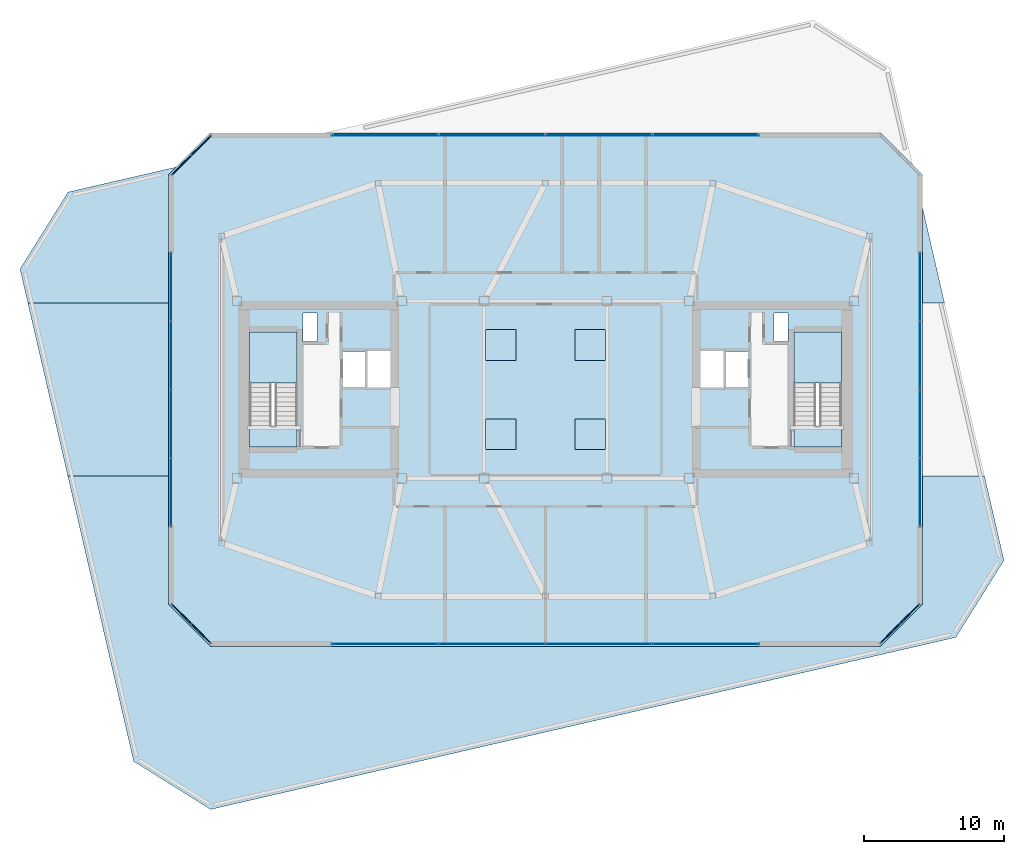
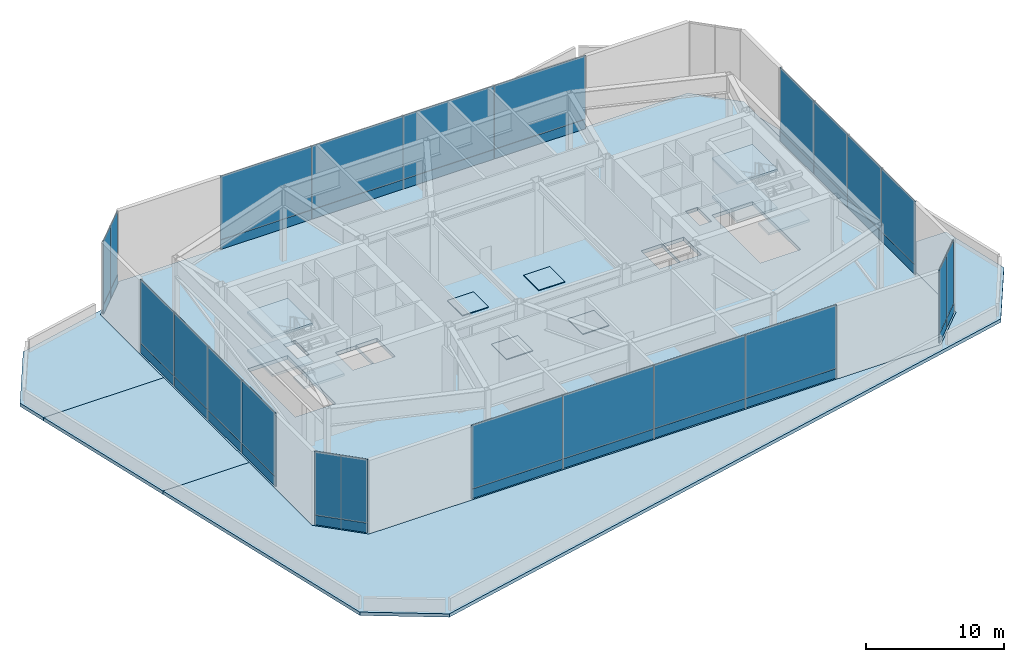
# One storey, part 18 of 25: 48 plates, 11 slabs, 9 elements without a shape of their own.
"""IFC4 building model written with IfcOpenShell, lengths in metres."""

from ifc_helpers import new_model, si_unit, direction, frame, origin, origin_2d, place, context, subcontext, project, spatial, polyline, rectangle, outline, extrude, material, layer, layer_set, type_object, element, aggregate, save


model = new_model("IFC4")

# Units and contexts
model_context = context("Model", 3, precision=1e-05, world=origin(), true_north=direction((0.0, 1.0)))
body_context = subcontext(model_context, "Body", "Model", "MODEL_VIEW")
ifc_project = project(units=[si_unit("LENGTHUNIT", "METRE"), si_unit("AREAUNIT", "SQUARE_METRE"), si_unit("VOLUMEUNIT", "CUBIC_METRE"), si_unit("PLANEANGLEUNIT", "RADIAN"), si_unit("MASSUNIT", "GRAM", prefix="KILO")], contexts=[model_context])

# Site, building, storey
site_placement = place(None, origin())
site = spatial("IfcSite", under=ifc_project, at=site_placement, CompositionType="ELEMENT")
building_placement = place(site_placement, origin())
building = spatial("IfcBuilding", under=site, at=building_placement, Name="Tavrogorsk Clinical Tower", CompositionType="ELEMENT")
storey_placement = place(building_placement, frame((0.0, 0.0, 333.0)))
storey = spatial("IfcBuildingStorey", under=building, at=storey_placement, Name="L78", CompositionType="ELEMENT", Elevation=333.0)

# Slabs
ifc_material_1 = material(Name="Concrete B60", Category="concrete")
ifc_layer_1 = layer(ifc_material_1, 0.300048828125)
ifc_layer_set_1 = layer_set([ifc_layer_1], Name="Concrete B60")
slab_type_1 = type_object("IfcSlabType", Name="CrownTopRoofSlab_300", PredefinedType="ROOF", material=ifc_layer_set_1)
slab_1_placement = place(storey_placement, frame((0.0, 0.0, -0.300048828125)))
element("IfcSlab", 1, at=slab_1_placement, inside=storey, type_object=slab_type_1, Name="L78 Setback Roof Slab 1", PredefinedType="ROOF", context=body_context, shape_type="SweptSolid", body=[
    extrude(outline(polyline([(29.404052734375, -17.75439453125), (-23.991455078125, -30.081787109375), (-29.50830078125, -26.634521484375), (-34.225830078125, -6.199951171875), (-27.0, -6.199951171875), (-27.0, -15.39990234375), (-24.0, -18.39990234375), (24.0, -18.39990234375), (27.0, -15.39990234375), (27.0, -6.199951171875), (31.45751953125, -6.199951171875), (32.8515625, -12.23779296875), (29.404052734375, -17.75439453125)])), origin(), (0.0, 0.0, 1.0), 0.300048828125),
])
slab_2_placement = place(storey_placement, frame((0.0, 0.0, -0.300048828125)))
element("IfcSlab", 2, at=slab_2_placement, inside=storey, type_object=slab_type_1, Name="L78 Setback Roof Slab 2", PredefinedType="ROOF", context=body_context, shape_type="SweptSolid", body=[
    extrude(outline(polyline([(-37.651611328125, 8.6376953125), (-34.2041015625, 14.154541015625), (-26.456787109375, 15.943115234375), (-27.0, 15.39990234375), (-27.0, 6.199951171875), (-37.088623046875, 6.199951171875), (-37.651611328125, 8.6376953125)])), origin(), (0.0, 0.0, 1.0), 0.300048828125),
])
slab_3_placement = place(storey_placement, frame((0.0, 0.0, -0.300048828125)))
element("IfcSlab", 3, at=slab_3_placement, inside=storey, type_object=slab_type_1, Name="L78 Setback Roof Slab 3", PredefinedType="ROOF", context=body_context, shape_type="SweptSolid", body=[
    extrude(outline(polyline([(27.0, 13.10791015625), (28.5947265625, 6.199951171875), (27.0, 6.199951171875), (27.0, 13.10791015625)])), origin(), (0.0, 0.0, 1.0), 0.300048828125),
])
slab_4_placement = place(storey_placement, frame((0.0, 0.0, -0.300048828125)))
element("IfcSlab", 4, at=slab_4_placement, inside=storey, type_object=slab_type_1, Name="L78 Setback Roof Slab 5", PredefinedType="ROOF", context=body_context, shape_type="SweptSolid", body=[
    extrude(outline(polyline([(-37.088623046875, 6.199951171875), (-27.0, 6.199951171875), (-27.0, -6.199951171875), (-34.225830078125, -6.199951171875), (-37.088623046875, 6.199951171875)])), origin(), (0.0, 0.0, 1.0), 0.300048828125),
])

# Curtain wall, plates
ifc_material_2 = material(Name="Anodised aluminium and triple IGU glazing", Category="aluminium")
ifc_layer_2 = layer(ifc_material_2, 0.179931640625)
ifc_layer_set_2 = layer_set([ifc_layer_2], Name="Anodised aluminium and triple IGU glazing")
curtain_wall_type = type_object("IfcCurtainWallType", Name="CW6_TmdLantern", PredefinedType="NOTDEFINED", material=ifc_layer_set_2)
curtain_wall_1_placement = place(storey_placement, origin())
curtain_wall_1 = element("IfcCurtainWall", 5, at=curtain_wall_1_placement, inside=storey, type_object=curtain_wall_type, Name="L78 Curtain Wall CW-L78-TMD-1", PredefinedType="NOTDEFINED")
ifc_material_3 = material(Name="Honed Podolsk limestone spandrel panel", Category="masonry")
ifc_layer_3 = layer(ifc_material_3, 0.080078125)
ifc_layer_set_3 = layer_set([ifc_layer_3], Name="Honed Podolsk limestone spandrel panel")
plate_type_1 = type_object("IfcPlateType", Name="CwSpandrelStonePanel_80", PredefinedType="CURTAIN_PANEL", material=ifc_layer_set_3)
plate_1_placement = place(storey_placement, frame((-24.671630859375, -17.488037109375, 0.001953125), z_axis=(0.0, 0.0, 1.0), x_axis=(-0.707106781187, 0.707106781187, 0.0)))
plate_1 = element("IfcPlate", 6, at=plate_1_placement, type_object=plate_type_1, Name="CW-L78-TMD-1 Stone Spandrel Panel 1", PredefinedType="CURTAIN_PANEL", context=body_context, shape_type="SweptSolid", body=[
    extrude(rectangle(XDim=1.97900390625, YDim=0.080078125, at=origin_2d()), origin(), (0.0, 0.0, 1.0), 0.8359375),
])
plate_2_placement = place(storey_placement, frame((-26.087890625, -16.07177734375, 0.001953125), z_axis=(0.0, 0.0, 1.0), x_axis=(-0.707106781187, 0.707106781187, 0.0)))
plate_2 = element("IfcPlate", 7, at=plate_2_placement, type_object=plate_type_1, Name="CW-L78-TMD-1 Stone Spandrel Panel 2", PredefinedType="CURTAIN_PANEL", context=body_context, shape_type="SweptSolid", body=[
    extrude(rectangle(XDim=1.97900390625, YDim=0.080078125, at=origin_2d()), origin(), (0.0, 0.0, 1.0), 0.8359375),
])

curtain_wall_2_placement = place(storey_placement, origin())
curtain_wall_2 = element("IfcCurtainWall", 8, at=curtain_wall_2_placement, inside=storey, type_object=curtain_wall_type, Name="L78 Curtain Wall CW-L78-TMD-2", PredefinedType="NOTDEFINED")
plate_3_placement = place(storey_placement, frame((-26.830078125, -7.366943359375, 0.001953125), z_axis=(0.0, 0.0, 1.0), x_axis=(0.0, 1.0, 0.0)))
plate_3 = element("IfcPlate", 9, at=plate_3_placement, type_object=plate_type_1, Name="CW-L78-TMD-2 Stone Spandrel Panel 1", PredefinedType="CURTAIN_PANEL", context=body_context, shape_type="SweptSolid", body=[
    extrude(rectangle(XDim=4.8955078125, YDim=0.080078125, at=origin_2d()), origin(), (0.0, 0.0, 1.0), 0.8359375),
])
plate_4_placement = place(storey_placement, frame((-26.830078125, -2.453369140625, 0.001953125), z_axis=(0.0, 0.0, 1.0), x_axis=(0.0, 1.0, 0.0)))
plate_4 = element("IfcPlate", 10, at=plate_4_placement, type_object=plate_type_1, Name="CW-L78-TMD-2 Stone Spandrel Panel 2", PredefinedType="CURTAIN_PANEL", context=body_context, shape_type="SweptSolid", body=[
    extrude(rectangle(XDim=4.883544921875, YDim=0.080078125, at=origin_2d()), origin(), (0.0, 0.0, 1.0), 0.8359375),
])
plate_5_placement = place(storey_placement, frame((-26.830078125, 2.4541015625, 0.001953125), z_axis=(0.0, 0.0, 1.0), x_axis=(0.0, 1.0, 0.0)))
plate_5 = element("IfcPlate", 11, at=plate_5_placement, type_object=plate_type_1, Name="CW-L78-TMD-2 Stone Spandrel Panel 3", PredefinedType="CURTAIN_PANEL", context=body_context, shape_type="SweptSolid", body=[
    extrude(rectangle(XDim=4.883544921875, YDim=0.080078125, at=origin_2d()), origin(), (0.0, 0.0, 1.0), 0.8359375),
])
plate_6_placement = place(storey_placement, frame((-26.830078125, 7.36767578125, 0.001953125), z_axis=(0.0, 0.0, 1.0), x_axis=(0.0, 1.0, 0.0)))
plate_6 = element("IfcPlate", 12, at=plate_6_placement, type_object=plate_type_1, Name="CW-L78-TMD-2 Stone Spandrel Panel 4", PredefinedType="CURTAIN_PANEL", context=body_context, shape_type="SweptSolid", body=[
    extrude(rectangle(XDim=4.8955078125, YDim=0.080078125, at=origin_2d()), origin(), (0.0, 0.0, 1.0), 0.8359375),
])

curtain_wall_3_placement = place(storey_placement, origin())
curtain_wall_3 = element("IfcCurtainWall", 13, at=curtain_wall_3_placement, inside=storey, type_object=curtain_wall_type, Name="L78 Curtain Wall CW-L78-TMD-3", PredefinedType="NOTDEFINED")
plate_7_placement = place(storey_placement, frame((-26.087890625, 16.07177734375, 0.001953125), z_axis=(0.0, 0.0, 1.0), x_axis=(0.707106781187, 0.707106781187, 0.0)))
plate_7 = element("IfcPlate", 14, at=plate_7_placement, type_object=plate_type_1, Name="CW-L78-TMD-3 Stone Spandrel Panel 1", PredefinedType="CURTAIN_PANEL", context=body_context, shape_type="SweptSolid", body=[
    extrude(rectangle(XDim=1.97900390625, YDim=0.080078125, at=origin_2d()), origin(), (0.0, 0.0, 1.0), 0.8359375),
])
plate_8_placement = place(storey_placement, frame((-24.671630859375, 17.488037109375, 0.001953125), z_axis=(0.0, 0.0, 1.0), x_axis=(0.707106781187, 0.707106781187, 0.0)))
plate_8 = element("IfcPlate", 15, at=plate_8_placement, type_object=plate_type_1, Name="CW-L78-TMD-3 Stone Spandrel Panel 2", PredefinedType="CURTAIN_PANEL", context=body_context, shape_type="SweptSolid", body=[
    extrude(rectangle(XDim=1.97900390625, YDim=0.080078125, at=origin_2d()), origin(), (0.0, 0.0, 1.0), 0.8359375),
])

curtain_wall_4_placement = place(storey_placement, origin())
curtain_wall_4 = element("IfcCurtainWall", 16, at=curtain_wall_4_placement, inside=storey, type_object=curtain_wall_type, Name="L78 Curtain Wall CW-L78-TMD-4", PredefinedType="NOTDEFINED")
plate_9_placement = place(storey_placement, frame((-11.494873046875, 18.22998046875, 0.001953125), z_axis=(0.0, 0.0, 1.0), x_axis=(1.0, 0.0, 0.0)))
plate_9 = element("IfcPlate", 17, at=plate_9_placement, type_object=plate_type_1, Name="CW-L78-TMD-4 Stone Spandrel Panel 1", PredefinedType="CURTAIN_PANEL", context=body_context, shape_type="SweptSolid", body=[
    extrude(rectangle(XDim=7.6474609375, YDim=0.080078125, at=origin_2d()), origin(), (0.0, 0.0, 1.0), 0.8359375),
])
plate_10_placement = place(storey_placement, frame((-3.829345703125, 18.22998046875, 0.001953125), z_axis=(0.0, 0.0, 1.0), x_axis=(1.0, 0.0, 0.0)))
plate_10 = element("IfcPlate", 18, at=plate_10_placement, type_object=plate_type_1, Name="CW-L78-TMD-4 Stone Spandrel Panel 2", PredefinedType="CURTAIN_PANEL", context=body_context, shape_type="SweptSolid", body=[
    extrude(rectangle(XDim=7.635498046875, YDim=0.080078125, at=origin_2d()), origin(), (0.0, 0.0, 1.0), 0.8359375),
])
plate_11_placement = place(storey_placement, frame((3.830078125, 18.22998046875, 0.001953125), z_axis=(0.0, 0.0, 1.0), x_axis=(1.0, 0.0, 0.0)))
plate_11 = element("IfcPlate", 19, at=plate_11_placement, type_object=plate_type_1, Name="CW-L78-TMD-4 Stone Spandrel Panel 3", PredefinedType="CURTAIN_PANEL", context=body_context, shape_type="SweptSolid", body=[
    extrude(rectangle(XDim=7.635498046875, YDim=0.080078125, at=origin_2d()), origin(), (0.0, 0.0, 1.0), 0.8359375),
])
plate_12_placement = place(storey_placement, frame((11.49560546875, 18.22998046875, 0.001953125), z_axis=(0.0, 0.0, 1.0), x_axis=(1.0, 0.0, 0.0)))
plate_12 = element("IfcPlate", 20, at=plate_12_placement, type_object=plate_type_1, Name="CW-L78-TMD-4 Stone Spandrel Panel 4", PredefinedType="CURTAIN_PANEL", context=body_context, shape_type="SweptSolid", body=[
    extrude(rectangle(XDim=7.6474609375, YDim=0.080078125, at=origin_2d()), origin(), (0.0, 0.0, 1.0), 0.8359375),
])

curtain_wall_5_placement = place(storey_placement, origin())
curtain_wall_5 = element("IfcCurtainWall", 21, at=curtain_wall_5_placement, inside=storey, type_object=curtain_wall_type, Name="L78 Curtain Wall CW-L78-TMD-6", PredefinedType="NOTDEFINED")
plate_13_placement = place(storey_placement, frame((26.830078125, 7.366943359375, 0.001953125), z_axis=(0.0, 0.0, 1.0), x_axis=(0.0, -1.0, 0.0)))
plate_13 = element("IfcPlate", 22, at=plate_13_placement, type_object=plate_type_1, Name="CW-L78-TMD-6 Stone Spandrel Panel 1", PredefinedType="CURTAIN_PANEL", context=body_context, shape_type="SweptSolid", body=[
    extrude(rectangle(XDim=4.8955078125, YDim=0.080078125, at=origin_2d()), origin(), (0.0, 0.0, 1.0), 0.8359375),
])
plate_14_placement = place(storey_placement, frame((26.830078125, 2.453369140625, 0.001953125), z_axis=(0.0, 0.0, 1.0), x_axis=(0.0, -1.0, 0.0)))
plate_14 = element("IfcPlate", 23, at=plate_14_placement, type_object=plate_type_1, Name="CW-L78-TMD-6 Stone Spandrel Panel 2", PredefinedType="CURTAIN_PANEL", context=body_context, shape_type="SweptSolid", body=[
    extrude(rectangle(XDim=4.883544921875, YDim=0.080078125, at=origin_2d()), origin(), (0.0, 0.0, 1.0), 0.8359375),
])
plate_15_placement = place(storey_placement, frame((26.830078125, -2.4541015625, 0.001953125), z_axis=(0.0, 0.0, 1.0), x_axis=(0.0, -1.0, 0.0)))
plate_15 = element("IfcPlate", 24, at=plate_15_placement, type_object=plate_type_1, Name="CW-L78-TMD-6 Stone Spandrel Panel 3", PredefinedType="CURTAIN_PANEL", context=body_context, shape_type="SweptSolid", body=[
    extrude(rectangle(XDim=4.883544921875, YDim=0.080078125, at=origin_2d()), origin(), (0.0, 0.0, 1.0), 0.8359375),
])
plate_16_placement = place(storey_placement, frame((26.830078125, -7.36767578125, 0.001953125), z_axis=(0.0, 0.0, 1.0), x_axis=(0.0, -1.0, 0.0)))
plate_16 = element("IfcPlate", 25, at=plate_16_placement, type_object=plate_type_1, Name="CW-L78-TMD-6 Stone Spandrel Panel 4", PredefinedType="CURTAIN_PANEL", context=body_context, shape_type="SweptSolid", body=[
    extrude(rectangle(XDim=4.8955078125, YDim=0.080078125, at=origin_2d()), origin(), (0.0, 0.0, 1.0), 0.8359375),
])

curtain_wall_6_placement = place(storey_placement, origin())
curtain_wall_6 = element("IfcCurtainWall", 26, at=curtain_wall_6_placement, inside=storey, type_object=curtain_wall_type, Name="L78 Curtain Wall CW-L78-TMD-7", PredefinedType="NOTDEFINED")
plate_17_placement = place(storey_placement, frame((26.087890625, -16.07177734375, 0.001953125), z_axis=(0.0, 0.0, 1.0), x_axis=(-0.707106781187, -0.707106781187, 0.0)))
plate_17 = element("IfcPlate", 27, at=plate_17_placement, type_object=plate_type_1, Name="CW-L78-TMD-7 Stone Spandrel Panel 1", PredefinedType="CURTAIN_PANEL", context=body_context, shape_type="SweptSolid", body=[
    extrude(rectangle(XDim=1.97900390625, YDim=0.080078125, at=origin_2d()), origin(), (0.0, 0.0, 1.0), 0.8359375),
])
plate_18_placement = place(storey_placement, frame((24.671630859375, -17.488037109375, 0.001953125), z_axis=(0.0, 0.0, 1.0), x_axis=(-0.707106781187, -0.707106781187, 0.0)))
plate_18 = element("IfcPlate", 28, at=plate_18_placement, type_object=plate_type_1, Name="CW-L78-TMD-7 Stone Spandrel Panel 2", PredefinedType="CURTAIN_PANEL", context=body_context, shape_type="SweptSolid", body=[
    extrude(rectangle(XDim=1.97900390625, YDim=0.080078125, at=origin_2d()), origin(), (0.0, 0.0, 1.0), 0.8359375),
])

curtain_wall_7_placement = place(storey_placement, origin())
curtain_wall_7 = element("IfcCurtainWall", 29, at=curtain_wall_7_placement, inside=storey, type_object=curtain_wall_type, Name="L78 Curtain Wall CW-L78-TMD-8", PredefinedType="NOTDEFINED")
plate_19_placement = place(storey_placement, frame((11.494873046875, -18.22998046875, 0.001953125), z_axis=(0.0, 0.0, 1.0), x_axis=(-1.0, 0.0, 0.0)))
plate_19 = element("IfcPlate", 30, at=plate_19_placement, type_object=plate_type_1, Name="CW-L78-TMD-8 Stone Spandrel Panel 1", PredefinedType="CURTAIN_PANEL", context=body_context, shape_type="SweptSolid", body=[
    extrude(rectangle(XDim=7.6474609375, YDim=0.080078125, at=origin_2d()), origin(), (0.0, 0.0, 1.0), 0.8359375),
])
plate_20_placement = place(storey_placement, frame((3.829345703125, -18.22998046875, 0.001953125), z_axis=(0.0, 0.0, 1.0), x_axis=(-1.0, 0.0, 0.0)))
plate_20 = element("IfcPlate", 31, at=plate_20_placement, type_object=plate_type_1, Name="CW-L78-TMD-8 Stone Spandrel Panel 2", PredefinedType="CURTAIN_PANEL", context=body_context, shape_type="SweptSolid", body=[
    extrude(rectangle(XDim=7.635498046875, YDim=0.080078125, at=origin_2d()), origin(), (0.0, 0.0, 1.0), 0.8359375),
])
plate_21_placement = place(storey_placement, frame((-3.830078125, -18.22998046875, 0.001953125), z_axis=(0.0, 0.0, 1.0), x_axis=(-1.0, 0.0, 0.0)))
plate_21 = element("IfcPlate", 32, at=plate_21_placement, type_object=plate_type_1, Name="CW-L78-TMD-8 Stone Spandrel Panel 3", PredefinedType="CURTAIN_PANEL", context=body_context, shape_type="SweptSolid", body=[
    extrude(rectangle(XDim=7.635498046875, YDim=0.080078125, at=origin_2d()), origin(), (0.0, 0.0, 1.0), 0.8359375),
])
plate_22_placement = place(storey_placement, frame((-11.49560546875, -18.22998046875, 0.001953125), z_axis=(0.0, 0.0, 1.0), x_axis=(-1.0, 0.0, 0.0)))
plate_22 = element("IfcPlate", 33, at=plate_22_placement, type_object=plate_type_1, Name="CW-L78-TMD-8 Stone Spandrel Panel 4", PredefinedType="CURTAIN_PANEL", context=body_context, shape_type="SweptSolid", body=[
    extrude(rectangle(XDim=7.6474609375, YDim=0.080078125, at=origin_2d()), origin(), (0.0, 0.0, 1.0), 0.8359375),
])

# Plate
ifc_material_4 = material(Name="Diffused translucent insulated glass", Category="glass")
ifc_layer_4 = layer(ifc_material_4, 0.06005859375)
ifc_layer_set_4 = layer_set([ifc_layer_4], Name="Diffused translucent insulated glass")
plate_type_2 = type_object("IfcPlateType", Name="CwTranslucentLanternPanel_60", PredefinedType="CURTAIN_PANEL", material=ifc_layer_set_4)
plate_23_placement = place(storey_placement, frame((-24.671630859375, -17.488037109375, 0.86181640625), z_axis=(0.0, 0.0, 1.0), x_axis=(-0.707106781187, 0.707106781187, 0.0)))
plate_23 = element("IfcPlate", 34, at=plate_23_placement, type_object=plate_type_2, Name="CW-L78-TMD-1 Glazing Panel 1", PredefinedType="CURTAIN_PANEL", context=body_context, shape_type="SweptSolid", body=[
    extrude(rectangle(XDim=1.97900390625, YDim=0.06005859375, at=origin_2d()), origin(), (0.0, 0.0, 1.0), 5.635986328125),
])

plate_24_placement = place(storey_placement, frame((-26.087890625, -16.07177734375, 0.86181640625), z_axis=(0.0, 0.0, 1.0), x_axis=(-0.707106781187, 0.707106781187, 0.0)))
plate_24 = element("IfcPlate", 35, at=plate_24_placement, type_object=plate_type_2, Name="CW-L78-TMD-1 Glazing Panel 2", PredefinedType="CURTAIN_PANEL", context=body_context, shape_type="SweptSolid", body=[
    extrude(rectangle(XDim=1.97900390625, YDim=0.06005859375, at=origin_2d()), origin(), (0.0, 0.0, 1.0), 5.635986328125),
])

aggregate(curtain_wall_1, [plate_1, plate_23, plate_2, plate_24])

plate_25_placement = place(storey_placement, frame((-26.830078125, -7.366943359375, 0.86181640625), z_axis=(0.0, 0.0, 1.0), x_axis=(0.0, 1.0, 0.0)))
plate_25 = element("IfcPlate", 36, at=plate_25_placement, type_object=plate_type_2, Name="CW-L78-TMD-2 Glazing Panel 1", PredefinedType="CURTAIN_PANEL", context=body_context, shape_type="SweptSolid", body=[
    extrude(rectangle(XDim=4.8955078125, YDim=0.06005859375, at=origin_2d()), origin(), (0.0, 0.0, 1.0), 5.635986328125),
])

plate_26_placement = place(storey_placement, frame((-26.830078125, -2.453369140625, 0.86181640625), z_axis=(0.0, 0.0, 1.0), x_axis=(0.0, 1.0, 0.0)))
plate_26 = element("IfcPlate", 37, at=plate_26_placement, type_object=plate_type_2, Name="CW-L78-TMD-2 Glazing Panel 2", PredefinedType="CURTAIN_PANEL", context=body_context, shape_type="SweptSolid", body=[
    extrude(rectangle(XDim=4.883544921875, YDim=0.06005859375, at=origin_2d()), origin(), (0.0, 0.0, 1.0), 5.635986328125),
])

plate_27_placement = place(storey_placement, frame((-26.830078125, 2.4541015625, 0.86181640625), z_axis=(0.0, 0.0, 1.0), x_axis=(0.0, 1.0, 0.0)))
plate_27 = element("IfcPlate", 38, at=plate_27_placement, type_object=plate_type_2, Name="CW-L78-TMD-2 Glazing Panel 3", PredefinedType="CURTAIN_PANEL", context=body_context, shape_type="SweptSolid", body=[
    extrude(rectangle(XDim=4.883544921875, YDim=0.06005859375, at=origin_2d()), origin(), (0.0, 0.0, 1.0), 5.635986328125),
])

plate_28_placement = place(storey_placement, frame((-26.830078125, 7.36767578125, 0.86181640625), z_axis=(0.0, 0.0, 1.0), x_axis=(0.0, 1.0, 0.0)))
plate_28 = element("IfcPlate", 39, at=plate_28_placement, type_object=plate_type_2, Name="CW-L78-TMD-2 Glazing Panel 4", PredefinedType="CURTAIN_PANEL", context=body_context, shape_type="SweptSolid", body=[
    extrude(rectangle(XDim=4.8955078125, YDim=0.06005859375, at=origin_2d()), origin(), (0.0, 0.0, 1.0), 5.635986328125),
])

aggregate(curtain_wall_2, [plate_3, plate_25, plate_4, plate_26, plate_5, plate_27, plate_6, plate_28])

plate_29_placement = place(storey_placement, frame((-26.087890625, 16.07177734375, 0.86181640625), z_axis=(0.0, 0.0, 1.0), x_axis=(0.707106781187, 0.707106781187, 0.0)))
plate_29 = element("IfcPlate", 40, at=plate_29_placement, type_object=plate_type_2, Name="CW-L78-TMD-3 Glazing Panel 1", PredefinedType="CURTAIN_PANEL", context=body_context, shape_type="SweptSolid", body=[
    extrude(rectangle(XDim=1.97900390625, YDim=0.06005859375, at=origin_2d()), origin(), (0.0, 0.0, 1.0), 5.635986328125),
])

plate_30_placement = place(storey_placement, frame((-24.671630859375, 17.488037109375, 0.86181640625), z_axis=(0.0, 0.0, 1.0), x_axis=(0.707106781187, 0.707106781187, 0.0)))
plate_30 = element("IfcPlate", 41, at=plate_30_placement, type_object=plate_type_2, Name="CW-L78-TMD-3 Glazing Panel 2", PredefinedType="CURTAIN_PANEL", context=body_context, shape_type="SweptSolid", body=[
    extrude(rectangle(XDim=1.97900390625, YDim=0.06005859375, at=origin_2d()), origin(), (0.0, 0.0, 1.0), 5.635986328125),
])

aggregate(curtain_wall_3, [plate_7, plate_29, plate_8, plate_30])

plate_31_placement = place(storey_placement, frame((-11.494873046875, 18.22998046875, 0.86181640625), z_axis=(0.0, 0.0, 1.0), x_axis=(1.0, 0.0, 0.0)))
plate_31 = element("IfcPlate", 42, at=plate_31_placement, type_object=plate_type_2, Name="CW-L78-TMD-4 Glazing Panel 1", PredefinedType="CURTAIN_PANEL", context=body_context, shape_type="SweptSolid", body=[
    extrude(rectangle(XDim=7.6474609375, YDim=0.06005859375, at=origin_2d()), origin(), (0.0, 0.0, 1.0), 5.635986328125),
])

plate_32_placement = place(storey_placement, frame((-3.829345703125, 18.22998046875, 0.86181640625), z_axis=(0.0, 0.0, 1.0), x_axis=(1.0, 0.0, 0.0)))
plate_32 = element("IfcPlate", 43, at=plate_32_placement, type_object=plate_type_2, Name="CW-L78-TMD-4 Glazing Panel 2", PredefinedType="CURTAIN_PANEL", context=body_context, shape_type="SweptSolid", body=[
    extrude(rectangle(XDim=7.635498046875, YDim=0.06005859375, at=origin_2d()), origin(), (0.0, 0.0, 1.0), 5.635986328125),
])

plate_33_placement = place(storey_placement, frame((3.830078125, 18.22998046875, 0.86181640625), z_axis=(0.0, 0.0, 1.0), x_axis=(1.0, 0.0, 0.0)))
plate_33 = element("IfcPlate", 44, at=plate_33_placement, type_object=plate_type_2, Name="CW-L78-TMD-4 Glazing Panel 3", PredefinedType="CURTAIN_PANEL", context=body_context, shape_type="SweptSolid", body=[
    extrude(rectangle(XDim=7.635498046875, YDim=0.06005859375, at=origin_2d()), origin(), (0.0, 0.0, 1.0), 5.635986328125),
])

plate_34_placement = place(storey_placement, frame((11.49560546875, 18.22998046875, 0.86181640625), z_axis=(0.0, 0.0, 1.0), x_axis=(1.0, 0.0, 0.0)))
plate_34 = element("IfcPlate", 45, at=plate_34_placement, type_object=plate_type_2, Name="CW-L78-TMD-4 Glazing Panel 4", PredefinedType="CURTAIN_PANEL", context=body_context, shape_type="SweptSolid", body=[
    extrude(rectangle(XDim=7.6474609375, YDim=0.06005859375, at=origin_2d()), origin(), (0.0, 0.0, 1.0), 5.635986328125),
])

aggregate(curtain_wall_4, [plate_9, plate_31, plate_10, plate_32, plate_11, plate_33, plate_12, plate_34])

plate_35_placement = place(storey_placement, frame((26.830078125, 7.366943359375, 0.86181640625), z_axis=(0.0, 0.0, 1.0), x_axis=(0.0, -1.0, 0.0)))
plate_35 = element("IfcPlate", 46, at=plate_35_placement, type_object=plate_type_2, Name="CW-L78-TMD-6 Glazing Panel 1", PredefinedType="CURTAIN_PANEL", context=body_context, shape_type="SweptSolid", body=[
    extrude(rectangle(XDim=4.8955078125, YDim=0.06005859375, at=origin_2d()), origin(), (0.0, 0.0, 1.0), 5.635986328125),
])

plate_36_placement = place(storey_placement, frame((26.830078125, 2.453369140625, 0.86181640625), z_axis=(0.0, 0.0, 1.0), x_axis=(0.0, -1.0, 0.0)))
plate_36 = element("IfcPlate", 47, at=plate_36_placement, type_object=plate_type_2, Name="CW-L78-TMD-6 Glazing Panel 2", PredefinedType="CURTAIN_PANEL", context=body_context, shape_type="SweptSolid", body=[
    extrude(rectangle(XDim=4.883544921875, YDim=0.06005859375, at=origin_2d()), origin(), (0.0, 0.0, 1.0), 5.635986328125),
])

plate_37_placement = place(storey_placement, frame((26.830078125, -2.4541015625, 0.86181640625), z_axis=(0.0, 0.0, 1.0), x_axis=(0.0, -1.0, 0.0)))
plate_37 = element("IfcPlate", 48, at=plate_37_placement, type_object=plate_type_2, Name="CW-L78-TMD-6 Glazing Panel 3", PredefinedType="CURTAIN_PANEL", context=body_context, shape_type="SweptSolid", body=[
    extrude(rectangle(XDim=4.883544921875, YDim=0.06005859375, at=origin_2d()), origin(), (0.0, 0.0, 1.0), 5.635986328125),
])

plate_38_placement = place(storey_placement, frame((26.830078125, -7.36767578125, 0.86181640625), z_axis=(0.0, 0.0, 1.0), x_axis=(0.0, -1.0, 0.0)))
plate_38 = element("IfcPlate", 49, at=plate_38_placement, type_object=plate_type_2, Name="CW-L78-TMD-6 Glazing Panel 4", PredefinedType="CURTAIN_PANEL", context=body_context, shape_type="SweptSolid", body=[
    extrude(rectangle(XDim=4.8955078125, YDim=0.06005859375, at=origin_2d()), origin(), (0.0, 0.0, 1.0), 5.635986328125),
])

aggregate(curtain_wall_5, [plate_13, plate_35, plate_14, plate_36, plate_15, plate_37, plate_16, plate_38])

plate_39_placement = place(storey_placement, frame((26.087890625, -16.07177734375, 0.86181640625), z_axis=(0.0, 0.0, 1.0), x_axis=(-0.707106781187, -0.707106781187, 0.0)))
plate_39 = element("IfcPlate", 50, at=plate_39_placement, type_object=plate_type_2, Name="CW-L78-TMD-7 Glazing Panel 1", PredefinedType="CURTAIN_PANEL", context=body_context, shape_type="SweptSolid", body=[
    extrude(rectangle(XDim=1.97900390625, YDim=0.06005859375, at=origin_2d()), origin(), (0.0, 0.0, 1.0), 5.635986328125),
])

plate_40_placement = place(storey_placement, frame((24.671630859375, -17.488037109375, 0.86181640625), z_axis=(0.0, 0.0, 1.0), x_axis=(-0.707106781187, -0.707106781187, 0.0)))
plate_40 = element("IfcPlate", 51, at=plate_40_placement, type_object=plate_type_2, Name="CW-L78-TMD-7 Glazing Panel 2", PredefinedType="CURTAIN_PANEL", context=body_context, shape_type="SweptSolid", body=[
    extrude(rectangle(XDim=1.97900390625, YDim=0.06005859375, at=origin_2d()), origin(), (0.0, 0.0, 1.0), 5.635986328125),
])

aggregate(curtain_wall_6, [plate_17, plate_39, plate_18, plate_40])

plate_41_placement = place(storey_placement, frame((11.494873046875, -18.22998046875, 0.86181640625), z_axis=(0.0, 0.0, 1.0), x_axis=(-1.0, 0.0, 0.0)))
plate_41 = element("IfcPlate", 52, at=plate_41_placement, type_object=plate_type_2, Name="CW-L78-TMD-8 Glazing Panel 1", PredefinedType="CURTAIN_PANEL", context=body_context, shape_type="SweptSolid", body=[
    extrude(rectangle(XDim=7.6474609375, YDim=0.06005859375, at=origin_2d()), origin(), (0.0, 0.0, 1.0), 5.635986328125),
])

plate_42_placement = place(storey_placement, frame((3.829345703125, -18.22998046875, 0.86181640625), z_axis=(0.0, 0.0, 1.0), x_axis=(-1.0, 0.0, 0.0)))
plate_42 = element("IfcPlate", 53, at=plate_42_placement, type_object=plate_type_2, Name="CW-L78-TMD-8 Glazing Panel 2", PredefinedType="CURTAIN_PANEL", context=body_context, shape_type="SweptSolid", body=[
    extrude(rectangle(XDim=7.635498046875, YDim=0.06005859375, at=origin_2d()), origin(), (0.0, 0.0, 1.0), 5.635986328125),
])

plate_43_placement = place(storey_placement, frame((-3.830078125, -18.22998046875, 0.86181640625), z_axis=(0.0, 0.0, 1.0), x_axis=(-1.0, 0.0, 0.0)))
plate_43 = element("IfcPlate", 54, at=plate_43_placement, type_object=plate_type_2, Name="CW-L78-TMD-8 Glazing Panel 3", PredefinedType="CURTAIN_PANEL", context=body_context, shape_type="SweptSolid", body=[
    extrude(rectangle(XDim=7.635498046875, YDim=0.06005859375, at=origin_2d()), origin(), (0.0, 0.0, 1.0), 5.635986328125),
])

plate_44_placement = place(storey_placement, frame((-11.49560546875, -18.22998046875, 0.86181640625), z_axis=(0.0, 0.0, 1.0), x_axis=(-1.0, 0.0, 0.0)))
plate_44 = element("IfcPlate", 55, at=plate_44_placement, type_object=plate_type_2, Name="CW-L78-TMD-8 Glazing Panel 4", PredefinedType="CURTAIN_PANEL", context=body_context, shape_type="SweptSolid", body=[
    extrude(rectangle(XDim=7.6474609375, YDim=0.06005859375, at=origin_2d()), origin(), (0.0, 0.0, 1.0), 5.635986328125),
])

aggregate(curtain_wall_7, [plate_19, plate_41, plate_20, plate_42, plate_21, plate_43, plate_22, plate_44])

# Plates
ifc_material_5 = material(Name="Structural steel S440", Category="steel")
ifc_layer_5 = layer(ifc_material_5, 0.06005859375)
ifc_layer_set_5 = layer_set([ifc_layer_5], Name="Structural steel S440")
plate_type_3 = type_object("IfcPlateType", Name="DamperPlinthPlate_2200x2200x60", PredefinedType="USERDEFINED", material=ifc_layer_set_5)
for number, where, z_axis, x_axis, name in (
    (56, (-3.199951171875, -3.199951171875, 0.0), (0.0, 0.0, 1.0), (1.0, 0.0, 0.0), "L78 Tuned Mass Damper Plinth Plate NP-TMD-1"),
    (57, (3.199951171875, -3.199951171875, 0.0), (0.0, 0.0, 1.0), (1.0, 0.0, 0.0), "L78 Tuned Mass Damper Plinth Plate NP-TMD-2"),
    (58, (3.199951171875, 3.199951171875, 0.0), (0.0, 0.0, 1.0), (1.0, 0.0, 0.0), "L78 Tuned Mass Damper Plinth Plate NP-TMD-3"),
    (59, (-3.199951171875, 3.199951171875, 0.0), (0.0, 0.0, 1.0), (1.0, 0.0, 0.0), "L78 Tuned Mass Damper Plinth Plate NP-TMD-4"),
):
    element("IfcPlate", number, at=place(storey_placement, frame(where, z_axis=z_axis, x_axis=x_axis)), inside=storey, type_object=plate_type_3, Name=name, ObjectType="STIFFENER_PLATE", PredefinedType="USERDEFINED", context=body_context, shape_type="SweptSolid", body=[
        extrude(rectangle(XDim=2.199951171875, YDim=2.199951171875, at=origin_2d()), origin(), (0.0, 0.0, 1.0), 0.06005859375),
    ])

# Slab
ifc_material_6 = material(Name="Concrete B60", Category="concrete")
ifc_layer_6 = layer(ifc_material_6, 0.320068359375)
ifc_layer_set_6 = layer_set([ifc_layer_6], Name="Concrete B60")
slab_type_2 = type_object("IfcSlabType", Name="PlantRefugeSlab_320", PredefinedType="FLOOR", material=ifc_layer_set_6)
slab_5_placement = place(storey_placement, frame((0.0, 0.0, -0.320068359375)))
element("IfcSlab", 60, at=slab_5_placement, inside=storey, type_object=slab_type_2, Name="L78 Structural Slab", PredefinedType="FLOOR", context=body_context, shape_type="SweptSolid", body=[
    extrude(outline(polyline([(-24.0, -18.39990234375), (24.0, -18.39990234375), (27.0, -15.39990234375), (27.0, 15.39990234375), (24.0, 18.39990234375), (-24.0, 18.39990234375), (-27.0, 15.39990234375), (-27.0, -15.39990234375), (-24.0, -18.39990234375)]), holes=[polyline([(-17.800048828125, -2.8798828125), (-17.800048828125, 4.125), (-21.199951171875, 4.125), (-21.199951171875, -2.8798828125), (-17.800048828125, -2.8798828125)]), polyline([(21.199951171875, -2.8798828125), (21.199951171875, 4.125), (17.800048828125, 4.125), (17.800048828125, -2.8798828125), (21.199951171875, -2.8798828125)]), polyline([(-14.6201171875, 0.169921875), (-12.860107421875, 0.169921875), (-12.860107421875, 2.72998046875), (-14.6201171875, 2.72998046875), (-14.6201171875, 0.169921875)]), polyline([(-12.840087890625, 0.1201171875), (-11.080078125, 0.1201171875), (-11.080078125, 2.780029296875), (-12.840087890625, 2.780029296875), (-12.840087890625, 0.1201171875)]), polyline([(12.860107421875, 0.169921875), (14.6201171875, 0.169921875), (14.6201171875, 2.72998046875), (12.860107421875, 2.72998046875), (12.860107421875, 0.169921875)]), polyline([(11.080078125, 0.1201171875), (12.840087890625, 0.1201171875), (12.840087890625, 2.780029296875), (11.080078125, 2.780029296875), (11.080078125, 0.1201171875)]), polyline([(-17.3798828125, 3.449951171875), (-16.3798828125, 3.449951171875), (-16.3798828125, 5.5), (-17.3798828125, 5.5), (-17.3798828125, 3.449951171875)]), polyline([(16.3798828125, 3.449951171875), (17.3798828125, 3.449951171875), (17.3798828125, 5.5), (16.3798828125, 5.5), (16.3798828125, 3.449951171875)])]), origin(), (0.0, 0.0, 1.0), 0.320068359375),
])

# Stair, slabs
ifc_material_7 = material(Name="Concrete B60", Category="concrete")
stair_type = type_object("IfcStairType", Name="CoreStairAssembly", PredefinedType="HALF_TURN_STAIR", material=ifc_material_7)
stair_1_placement = place(storey_placement, origin())
stair_1 = element("IfcStair", 61, at=stair_1_placement, inside=storey, type_object=stair_type, Name="L78 ST-W", PredefinedType="HALF_TURN_STAIR")
ifc_material_8 = material(Name="Concrete B60", Category="concrete")
ifc_layer_7 = layer(ifc_material_8, 0.199951171875)
ifc_layer_set_7 = layer_set([ifc_layer_7], Name="Concrete B60")
slab_type_3 = type_object("IfcSlabType", Name="StairLanding_200", PredefinedType="LANDING", material=ifc_layer_set_7)
slab_6_placement = place(storey_placement, frame((0.0, 0.0, 1.5)))
slab_6 = element("IfcSlab", 62, at=slab_6_placement, type_object=slab_type_3, Name="ST-W landing 1", PredefinedType="LANDING", context=body_context, shape_type="SweptSolid", body=[
    extrude(outline(polyline([(-17.800048828125, 0.485107421875), (-17.800048828125, 4.125), (-21.199951171875, 4.125), (-21.199951171875, 0.485107421875), (-17.800048828125, 0.485107421875)])), origin(), (0.0, 0.0, 1.0), 0.199951171875),
])
slab_7_placement = place(storey_placement, frame((0.0, 0.0, 3.199951171875)))
slab_7 = element("IfcSlab", 63, at=slab_7_placement, type_object=slab_type_3, Name="ST-W landing 2", PredefinedType="LANDING", context=body_context, shape_type="SweptSolid", body=[
    extrude(outline(polyline([(-17.800048828125, -4.125), (-17.800048828125, -2.574951171875), (-21.199951171875, -2.574951171875), (-21.199951171875, -4.125), (-17.800048828125, -4.125)])), origin(), (0.0, 0.0, 1.0), 0.199951171875),
])
slab_8_placement = place(storey_placement, frame((0.0, 0.0, 4.89990234375)))
slab_8 = element("IfcSlab", 64, at=slab_8_placement, type_object=slab_type_3, Name="ST-W landing 3", PredefinedType="LANDING", context=body_context, shape_type="SweptSolid", body=[
    extrude(outline(polyline([(-17.800048828125, 0.485107421875), (-17.800048828125, 4.125), (-21.199951171875, 4.125), (-21.199951171875, 0.485107421875), (-17.800048828125, 0.485107421875)])), origin(), (0.0, 0.0, 1.0), 0.2001953125),
])
aggregate(stair_1, [slab_6, slab_7, slab_8])

stair_2_placement = place(storey_placement, origin())
stair_2 = element("IfcStair", 65, at=stair_2_placement, inside=storey, type_object=stair_type, Name="L78 ST-E", PredefinedType="HALF_TURN_STAIR")
slab_9_placement = place(storey_placement, frame((0.0, 0.0, 1.5)))
slab_9 = element("IfcSlab", 66, at=slab_9_placement, type_object=slab_type_3, Name="ST-E landing 1", PredefinedType="LANDING", context=body_context, shape_type="SweptSolid", body=[
    extrude(outline(polyline([(21.199951171875, 0.485107421875), (21.199951171875, 4.125), (17.800048828125, 4.125), (17.800048828125, 0.485107421875), (21.199951171875, 0.485107421875)])), origin(), (0.0, 0.0, 1.0), 0.199951171875),
])
slab_10_placement = place(storey_placement, frame((0.0, 0.0, 3.199951171875)))
slab_10 = element("IfcSlab", 67, at=slab_10_placement, type_object=slab_type_3, Name="ST-E landing 2", PredefinedType="LANDING", context=body_context, shape_type="SweptSolid", body=[
    extrude(outline(polyline([(21.199951171875, -4.125), (21.199951171875, -2.574951171875), (17.800048828125, -2.574951171875), (17.800048828125, -4.125), (21.199951171875, -4.125)])), origin(), (0.0, 0.0, 1.0), 0.199951171875),
])
slab_11_placement = place(storey_placement, frame((0.0, 0.0, 4.89990234375)))
slab_11 = element("IfcSlab", 68, at=slab_11_placement, type_object=slab_type_3, Name="ST-E landing 3", PredefinedType="LANDING", context=body_context, shape_type="SweptSolid", body=[
    extrude(outline(polyline([(21.199951171875, 0.485107421875), (21.199951171875, 4.125), (17.800048828125, 4.125), (17.800048828125, 0.485107421875), (21.199951171875, 0.485107421875)])), origin(), (0.0, 0.0, 1.0), 0.2001953125),
])
aggregate(stair_2, [slab_9, slab_10, slab_11])

save(model, "model.ifc")
